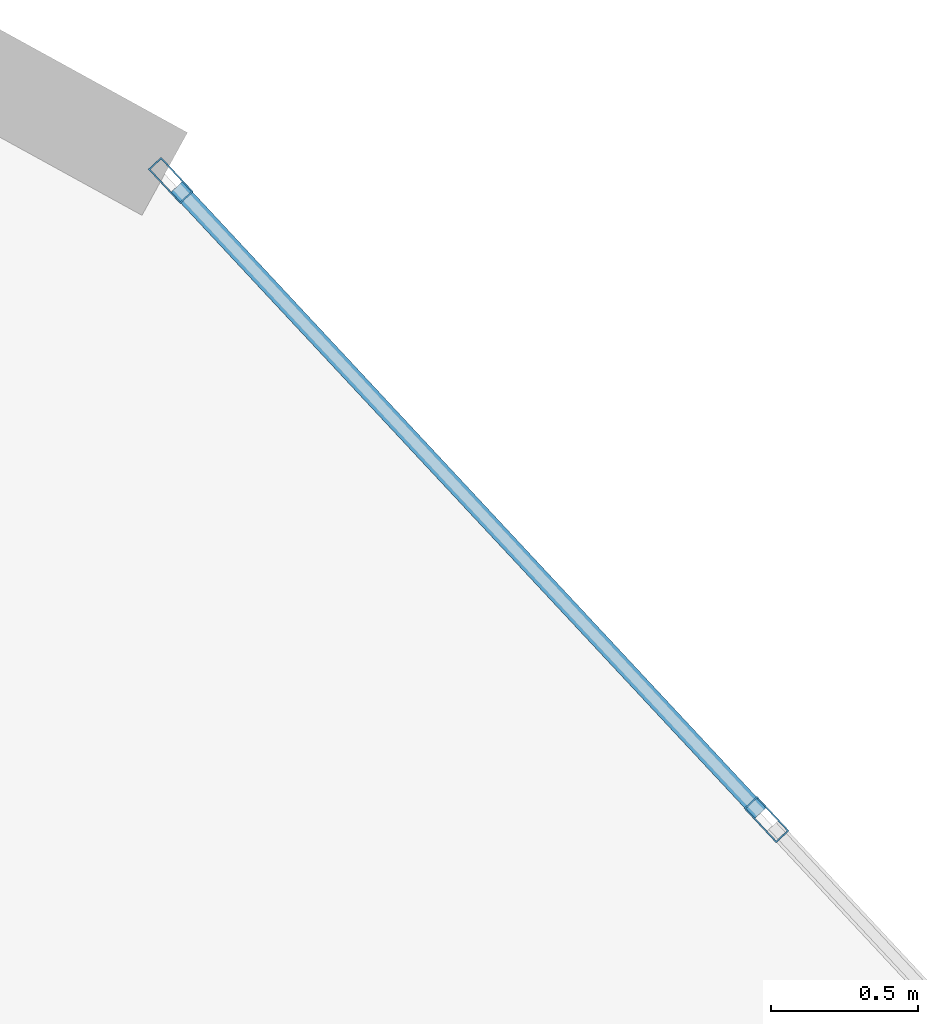
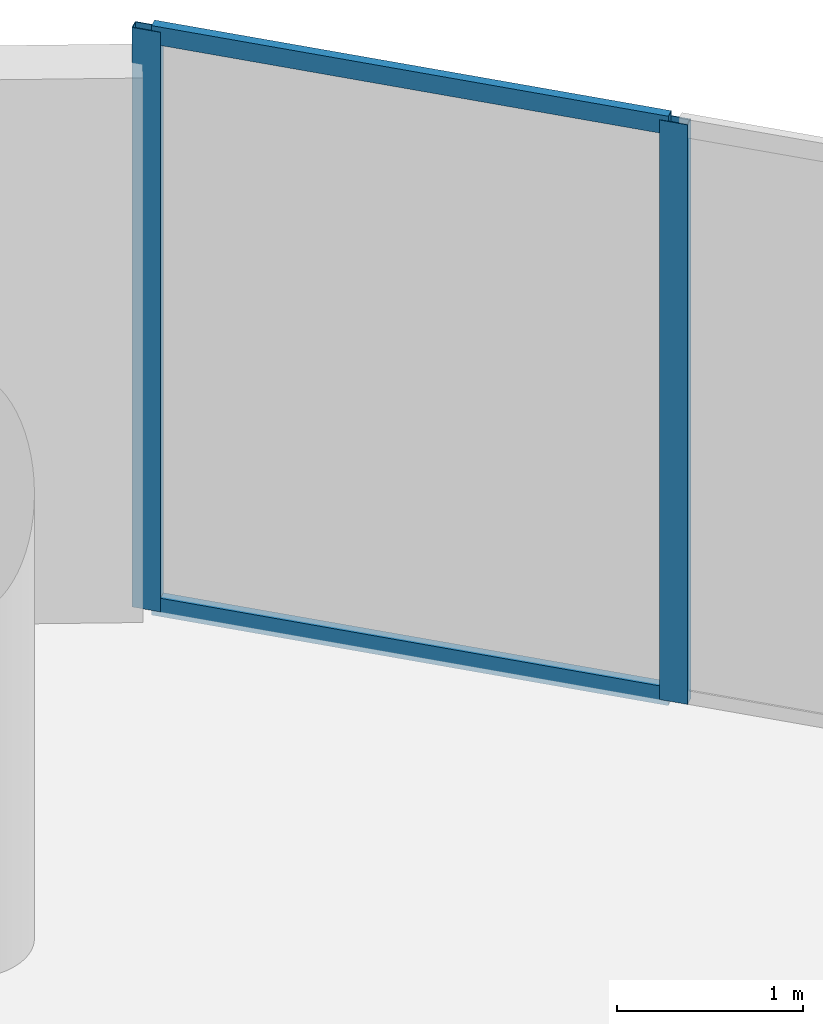
# One storey, part 16 of 23: 4 members, 1 element without a shape of its own.
"""IFC4 building model written with IfcOpenShell, lengths in metres."""

from ifc_helpers import new_model, si_unit, direction, frame, origin, origin_2d, place, context, subcontext, project, spatial, hollow_rectangle, extrude, source, transform, mapped, material, layer, layer_set, material_profile, profile_set, type_object, element, aggregate, save


model = new_model("IFC4")

# Units and contexts
model_context = context("Model", 3, precision=1e-05, world=origin(), true_north=direction((0.0, 1.0)))
body_context = subcontext(model_context, "Body", "Model", "MODEL_VIEW")
ifc_project = project(units=[si_unit("LENGTHUNIT", "METRE"), si_unit("AREAUNIT", "SQUARE_METRE"), si_unit("VOLUMEUNIT", "CUBIC_METRE"), si_unit("PLANEANGLEUNIT", "RADIAN"), si_unit("MASSUNIT", "GRAM", prefix="KILO")], contexts=[model_context])

# Site, building, storey
site_placement = place(None, origin())
site = spatial("IfcSite", under=ifc_project, at=site_placement, CompositionType="ELEMENT")
building_placement = place(site_placement, origin())
building = spatial("IfcBuilding", under=site, at=building_placement, Name="Solvirekh Grand Hotel", CompositionType="ELEMENT")
storey_placement = place(building_placement, frame((0.0, 0.0, 282.0)))
storey = spatial("IfcBuildingStorey", under=building, at=storey_placement, Name="L73", CompositionType="ELEMENT", Elevation=282.0)

# Curtain wall, members
ifc_material = material(Name="Anodized Bronze Aluminium 6063-T6", Category="aluminium")
ifc_layer = layer(ifc_material, 0.159912109375)
ifc_layer_set = layer_set([ifc_layer], Name="Anodized Bronze Aluminium 6063-T6")
curtain_wall_type = type_object("IfcCurtainWallType", Name="CW_Sys4_HighZoneFlushBronzeCW", PredefinedType="NOTDEFINED", material=ifc_layer_set)
curtain_wall_placement = place(storey_placement, origin())
curtain_wall = element("IfcCurtainWall", 1, at=curtain_wall_placement, inside=storey, type_object=curtain_wall_type, Name="L73 unitised bronze-glass curtain wall CW-L73-C08", PredefinedType="NOTDEFINED")
ifc_material_profile_1 = material_profile(ifc_material, hollow_rectangle(XDim=0.06005859375, YDim=0.159912109375, WallThickness=0.0048828125, at=origin_2d()), Name="ALU RHS 160X60X5")
ifc_profile_set_1 = profile_set([ifc_material_profile_1], Name="Anodized Bronze Aluminium 6063-T6")
member_type_1 = type_object("IfcMemberType", Name="CWMullion_Sys4", PredefinedType="MULLION", material=ifc_profile_set_1)
shared_shape_1 = source(origin(), body_context, "Body", "SweptSolid", [
    extrude(hollow_rectangle(XDim=0.06005859375, YDim=0.159912109375, WallThickness=0.0048828125, at=origin_2d()), origin(), (0.0, 0.0, 1.0), 3.800048828125),
])
member_1_placement = place(storey_placement, frame((12.152587890625, 13.416015625, 0.0), z_axis=(0.0, 0.0, 1.0), x_axis=(-0.731482948511, -0.681859733403, 0.0)))
member_1 = element("IfcMember", 2, at=member_1_placement, type_object=member_type_1, Name="U04 mullion 2", PredefinedType="MULLION", context=body_context, shape_type="MappedRepresentation", body=[
    mapped(shared_shape_1, transform((0.0, 0.0, 0.0), x_axis=(1.0, 0.0, 0.0), y_axis=(0.0, 1.0, 0.0), z_axis=(0.0, 0.0, 1.0), scale=1.0)),
])
member_2_placement = place(storey_placement, frame((10.132568359375, 15.5830078125, 0.0), z_axis=(0.0, 0.0, 1.0), x_axis=(-0.731482948511, -0.681859733403, 0.0)))
member_2 = element("IfcMember", 3, at=member_2_placement, type_object=member_type_1, Name="U04 mullion 3", PredefinedType="MULLION", context=body_context, shape_type="MappedRepresentation", body=[
    mapped(shared_shape_1, transform((0.0, 0.0, 0.0), x_axis=(1.0, 0.0, 0.0), y_axis=(0.0, 1.0, 0.0), z_axis=(0.0, 0.0, 1.0), scale=1.0)),
])
ifc_material_profile_2 = material_profile(ifc_material, hollow_rectangle(XDim=0.054931640625, YDim=0.1201171875, WallThickness=0.00390625, at=origin_2d()), Name="ALU RHS 120X55X4")
ifc_profile_set_2 = profile_set([ifc_material_profile_2], Name="Anodized Bronze Aluminium 6063-T6")
member_type_2 = type_object("IfcMemberType", Name="CWTransom_Sys4", PredefinedType="USERDEFINED", material=ifc_profile_set_2)
shared_shape_2 = source(origin(), body_context, "Body", "SweptSolid", [
    extrude(hollow_rectangle(XDim=0.054931640625, YDim=0.1201171875, WallThickness=0.00390625, at=origin_2d()), origin(), (0.0, 0.0, 1.0), 2.902587890625),
])
member_3_placement = place(storey_placement, frame((12.132080078125, 13.43798828125, 0.027587890625), z_axis=(-0.681901571994, 0.73144394598, 0.0), x_axis=(-0.73144394598, -0.681901571994, 0.0)))
member_3 = element("IfcMember", 4, at=member_3_placement, type_object=member_type_2, Name="U04 transom 2.1", ObjectType="TRANSOM", PredefinedType="USERDEFINED", context=body_context, shape_type="MappedRepresentation", body=[
    mapped(shared_shape_2, transform((0.0, 0.0, 0.0), x_axis=(1.0, 0.0, 0.0), y_axis=(0.0, 1.0, 0.0), z_axis=(0.0, 0.0, 1.0), scale=1.0)),
])
member_4_placement = place(storey_placement, frame((12.132080078125, 13.43798828125, 3.7724609375), z_axis=(-0.681901571994, 0.73144394598, 0.0), x_axis=(-0.73144394598, -0.681901571994, 0.0)))
member_4 = element("IfcMember", 5, at=member_4_placement, type_object=member_type_2, Name="U04 transom 2.2", ObjectType="TRANSOM", PredefinedType="USERDEFINED", context=body_context, shape_type="MappedRepresentation", body=[
    mapped(shared_shape_2, transform((0.0, 0.0, 0.0), x_axis=(1.0, 0.0, 0.0), y_axis=(0.0, 1.0, 0.0), z_axis=(0.0, 0.0, 1.0), scale=1.0)),
])
aggregate(curtain_wall, [member_1, member_2, member_3, member_4])

save(model, "model.ifc")
